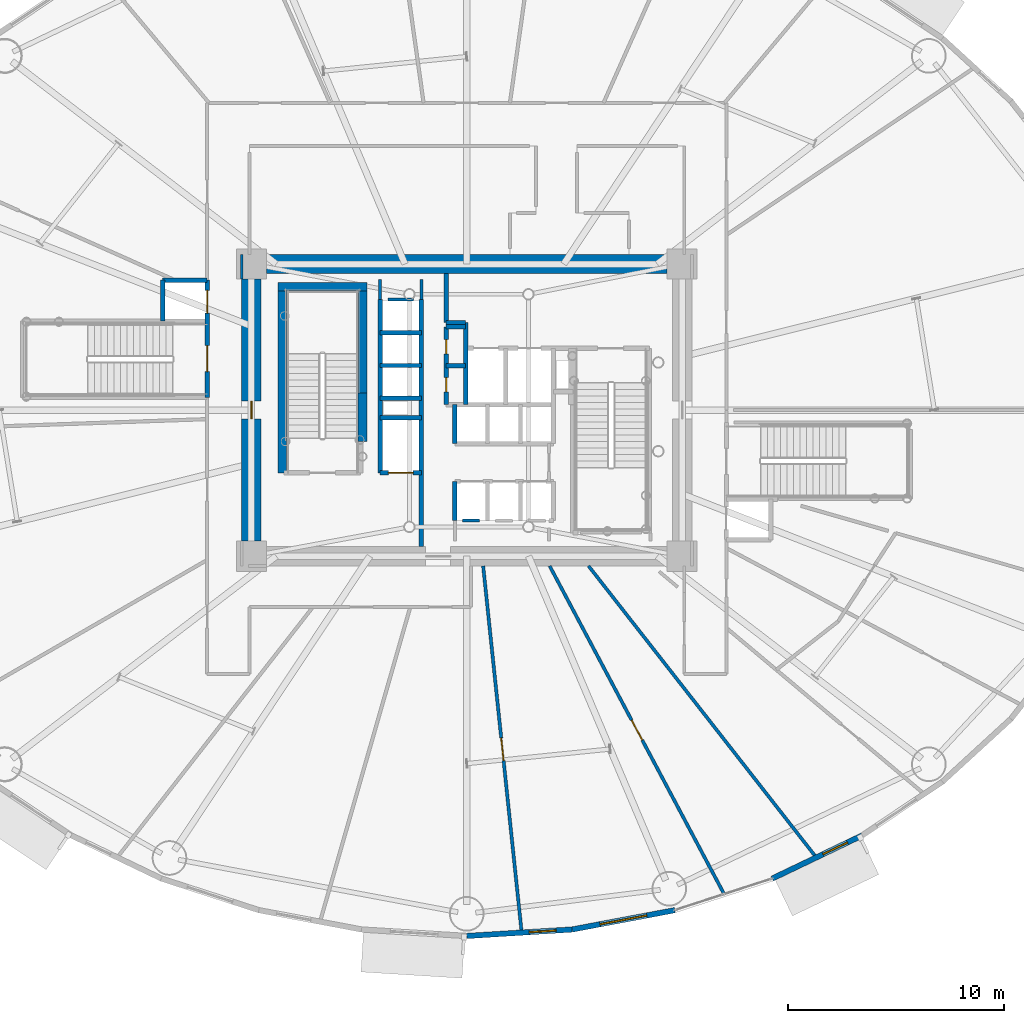
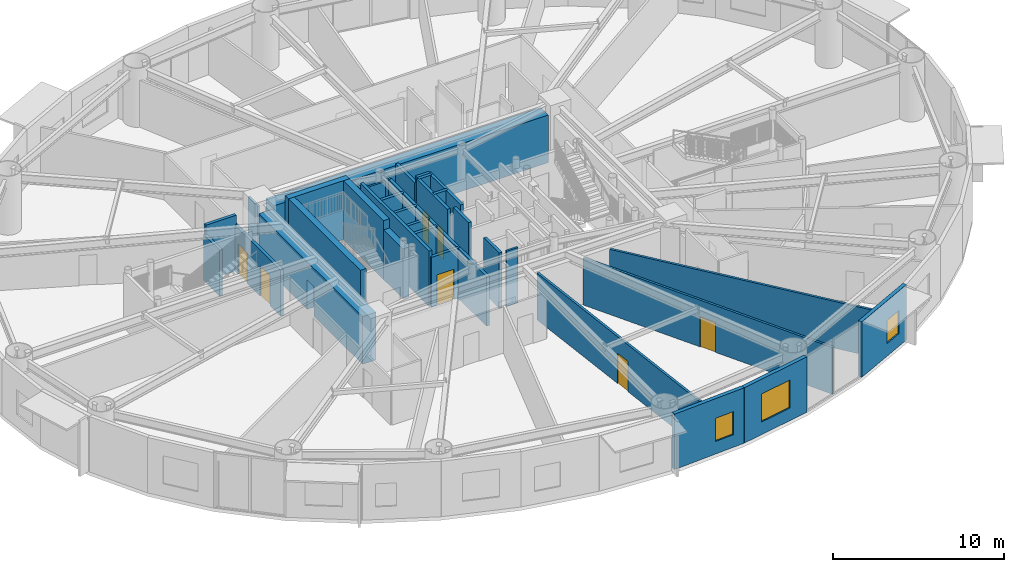
# One storey, part 17 of 32: 35 walls, 8 doors, 3 windows, 11 openings.
"""IFC4 building model written with IfcOpenShell, lengths in metres."""

from ifc_helpers import new_model, si_unit, direction, frame, frame_2d, origin, origin_2d, place, context, subcontext, project, spatial, rectangle, extrude, source, transform, mapped, material, layer, layer_set, type_object, element, fill, save


model = new_model("IFC4")

# Units and contexts
model_context = context("Model", 3, precision=1e-05, world=origin(), true_north=direction((0.0, 1.0)))
body_context = subcontext(model_context, "Body", "Model", "MODEL_VIEW")
ifc_project = project(units=[si_unit("LENGTHUNIT", "METRE"), si_unit("AREAUNIT", "SQUARE_METRE"), si_unit("VOLUMEUNIT", "CUBIC_METRE"), si_unit("PLANEANGLEUNIT", "RADIAN"), si_unit("MASSUNIT", "GRAM", prefix="KILO")], contexts=[model_context])

# Site, building, storey
site_placement = place(None, origin())
site = spatial("IfcSite", under=ifc_project, at=site_placement, CompositionType="ELEMENT")
building_placement = place(site_placement, origin())
building = spatial("IfcBuilding", under=site, at=building_placement, Name="Linh Dai School and Residence Tower", CompositionType="ELEMENT")
storey_placement = place(building_placement, frame((0.0, 0.0, 53.39990234375)))
storey = spatial("IfcBuildingStorey", under=building, at=storey_placement, Name="L12", CompositionType="ELEMENT", Elevation=53.39990234375)

# Wall, opening, window
ifc_material_1 = material(Name="Precast Concrete B45 (C35/45)", Category="concrete")
ifc_layer_1 = layer(ifc_material_1, 0.25)
ifc_layer_set_1 = layer_set([ifc_layer_1], Name="Precast Concrete B45 (C35/45)")
wall_type_1 = type_object("IfcWallType", Name="EW-TC-250", PredefinedType="SOLIDWALL", material=ifc_layer_set_1)
wall_1_placement = place(storey_placement, frame((40.865478515625, 2.994873046875, 0.0), z_axis=(0.0, 0.0, 1.0), x_axis=(-0.998106954071, -0.061502099433, 0.0)))
wall_1 = element("IfcWall", 1, at=wall_1_placement, inside=storey, type_object=wall_type_1, Name="L12 Terracotta Exterior Wall 31", PredefinedType="SOLIDWALL", context=body_context, shape_type="SweptSolid", body=[
    extrude(rectangle(XDim=4.874755859375, YDim=0.25, at=frame_2d((2.4375, 0.0))), origin(), (0.0, 0.0, 1.0), 3.9501953125),
])
opening_1_placement = place(wall_1_placement, frame((0.7373046875, 0.0, 0.89990234375)))
opening_1 = element("IfcOpeningElement", 2, at=opening_1_placement, cuts=wall_1, Name="Opening W3", PredefinedType="OPENING", context=body_context, shape_type="SweptSolid", body=[
    extrude(rectangle(XDim=1.25, YDim=1.64990234375, at=origin_2d()), frame((0.625, 0.135009765625, 0.824951171875), z_axis=(0.0, -1.0, 0.0), x_axis=(1.0, 0.0, 0.0)), (0.0, 0.0, 1.0), 0.27001953125),
])
ifc_material_2 = material(Name="Double Low-E Insulated Glazing", Category="glass")
window_type_1 = type_object("IfcWindowType", Name="WN-RES-1250x1650", PartitioningType="SINGLE_PANEL", PredefinedType="WINDOW", material=ifc_material_2)
shared_shape_1 = source(origin(), body_context, "Body", "SweptSolid", [
    extrude(rectangle(XDim=1.25, YDim=1.64990234375, at=origin_2d()), frame((0.625, 0.030029296875, 0.824951171875), z_axis=(0.0, -1.0, 0.0), x_axis=(1.0, 0.0, 0.0)), (0.0, 0.0, 1.0), 0.06005859375),
])
window_1_placement = place(opening_1_placement, origin())
window_1 = element("IfcWindow", 3, at=window_1_placement, inside=storey, type_object=window_type_1, Name="L12 Exterior Window 31.1", OverallHeight=1.64990234375, OverallWidth=1.25, PartitioningType="SINGLE_PANEL", PredefinedType="WINDOW", context=body_context, shape_type="MappedRepresentation", body=[
    mapped(shared_shape_1, transform((0.0, 0.0, 0.0), x_axis=(1.0, 0.0, 0.0), y_axis=(0.0, 1.0, 0.0), z_axis=(0.0, 0.0, 1.0), scale=1.0)),
])
fill(opening_1, window_1)

wall_2_placement = place(storey_placement, frame((45.610595703125, 3.88671875, 0.0), z_axis=(0.0, 0.0, 1.0), x_axis=(-0.982791952378, -0.184715939598, 0.0)))
wall_2 = element("IfcWall", 4, at=wall_2_placement, inside=storey, type_object=wall_type_1, Name="L12 Terracotta Exterior Wall 32", PredefinedType="SOLIDWALL", context=body_context, shape_type="SweptSolid", body=[
    extrude(rectangle(XDim=4.828125, YDim=0.25, at=frame_2d((2.4140625, 0.0))), origin(), (0.0, 0.0, 1.0), 3.9501953125),
])
opening_2_placement = place(wall_2_placement, frame((1.314208984375, 0.0, 0.89990234375)))
opening_2 = element("IfcOpeningElement", 5, at=opening_2_placement, cuts=wall_2, Name="Opening W4", PredefinedType="OPENING", context=body_context, shape_type="SweptSolid", body=[
    extrude(rectangle(XDim=2.199951171875, YDim=2.0, at=origin_2d()), frame((1.10009765625, 0.135009765625, 1.0), z_axis=(0.0, -1.0, 0.0), x_axis=(1.0, 0.0, 0.0)), (0.0, 0.0, 1.0), 0.27001953125),
])
ifc_material_3 = material(Name="Acoustic Laminated Low-E Glazing", Category="glass")
window_type_2 = type_object("IfcWindowType", Name="WN-SCH-2200x2000", PartitioningType="TRIPLE_PANEL_VERTICAL", PredefinedType="WINDOW", material=ifc_material_3)
shared_shape_2 = source(origin(), body_context, "Body", "SweptSolid", [
    extrude(rectangle(XDim=2.199951171875, YDim=2.0, at=origin_2d()), frame((1.10009765625, 0.030029296875, 1.0), z_axis=(0.0, -1.0, 0.0), x_axis=(1.0, 0.0, 0.0)), (0.0, 0.0, 1.0), 0.06005859375),
])
window_2_placement = place(opening_2_placement, origin())
window_2 = element("IfcWindow", 6, at=window_2_placement, inside=storey, type_object=window_type_2, Name="L12 Exterior Window 32.1", OverallHeight=2.0, OverallWidth=2.199951171875, PartitioningType="TRIPLE_PANEL_VERTICAL", PredefinedType="WINDOW", context=body_context, shape_type="MappedRepresentation", body=[
    mapped(shared_shape_2, transform((0.0, 0.0, 0.0), x_axis=(1.0, 0.0, 0.0), y_axis=(0.0, 1.0, 0.0), z_axis=(0.0, 0.0, 1.0), scale=1.0)),
])
fill(opening_2, window_2)

wall_3_placement = place(storey_placement, frame((54.277099609375, 7.34423828125, 0.0), z_axis=(0.0, 0.0, 1.0), x_axis=(-0.901601503137, -0.432567601123, 0.0)))
wall_3 = element("IfcWall", 7, at=wall_3_placement, inside=storey, type_object=wall_type_1, Name="L12 Terracotta Exterior Wall 34", PredefinedType="SOLIDWALL", context=body_context, shape_type="SweptSolid", body=[
    extrude(rectangle(XDim=4.61279296875, YDim=0.25, at=frame_2d((2.306396484375, 0.0))), origin(), (0.0, 0.0, 1.0), 3.9501953125),
])
opening_3_placement = place(wall_3_placement, frame((0.760986328125, 0.0, 0.89990234375)))
opening_3 = element("IfcOpeningElement", 8, at=opening_3_placement, cuts=wall_3, Name="Opening W3", PredefinedType="OPENING", context=body_context, shape_type="SweptSolid", body=[
    extrude(rectangle(XDim=1.25, YDim=1.64990234375, at=origin_2d()), frame((0.625, 0.135009765625, 0.824951171875), z_axis=(0.0, -1.0, 0.0), x_axis=(1.0, 0.0, 0.0)), (0.0, 0.0, 1.0), 0.27001953125),
])
window_3_placement = place(opening_3_placement, origin())
window_3 = element("IfcWindow", 9, at=window_3_placement, inside=storey, type_object=window_type_1, Name="L12 Exterior Window 34.1", OverallHeight=1.64990234375, OverallWidth=1.25, PartitioningType="SINGLE_PANEL", PredefinedType="WINDOW", context=body_context, shape_type="MappedRepresentation", body=[
    mapped(shared_shape_1, transform((0.0, 0.0, 0.0), x_axis=(1.0, 0.0, 0.0), y_axis=(0.0, 1.0, 0.0), z_axis=(0.0, 0.0, 1.0), scale=1.0)),
])
fill(opening_3, window_3)

# Walls
ifc_material_4 = material(Name="Autoclaved Aerated Concrete Blockwork", Category="masonry")
ifc_layer_2 = layer(ifc_material_4, 0.135009765625)
ifc_layer_set_2 = layer_set([ifc_layer_2], Name="Autoclaved Aerated Concrete Blockwork")
wall_type_2 = type_object("IfcWallType", Name="IW-CORR-135-EI90", PredefinedType="PARTITIONING", material=ifc_layer_set_2)
wall_4_placement = place(storey_placement, frame((36.60009765625, 21.89990234375, 0.0), z_axis=(0.0, 0.0, 1.0), x_axis=(-1.0, 0.0, 0.0)))
element("IfcWall", 10, at=wall_4_placement, inside=storey, type_object=wall_type_2, Name="L12 Interior Partition Wall 076", PredefinedType="PARTITIONING", context=body_context, shape_type="SweptSolid", body=[
    extrude(rectangle(XDim=0.7900390625, YDim=0.135009765625, at=frame_2d((0.39501953125, 0.0))), origin(), (0.0, 0.0, 1.0), 3.9501953125),
])
wall_5_placement = place(storey_placement, frame((32.360107421875, 32.10009765625, 0.0), z_axis=(0.0, 0.0, 1.0), x_axis=(1.0, 0.0, 0.0)))
element("IfcWall", 11, at=wall_5_placement, inside=storey, type_object=wall_type_2, Name="L12 Interior Partition Wall 079", PredefinedType="PARTITIONING", context=body_context, shape_type="SweptSolid", body=[
    extrude(rectangle(XDim=1.179931640625, YDim=0.135009765625, at=frame_2d((0.58984375, 0.0))), origin(), (0.0, 0.0, 1.0), 3.53515625),
])
wall_6_placement = place(storey_placement, frame((32.0, 33.0400390625, 0.0), z_axis=(0.0, 0.0, 1.0), x_axis=(0.0, -1.0, 0.0)))
element("IfcWall", 12, at=wall_6_placement, inside=storey, type_object=wall_type_2, Name="L12 Interior Partition Wall 081", PredefinedType="PARTITIONING", context=body_context, shape_type="SweptSolid", body=[
    extrude(rectangle(XDim=0.929931640625, YDim=0.135009765625, at=frame_2d((0.46484375, 0.0))), origin(), (0.0, 0.0, 1.0), 3.485107421875),
])
wall_7_placement = place(storey_placement, frame((33.89990234375, 32.110107421875, 0.0), z_axis=(0.0, 0.0, 1.0), x_axis=(0.0, 1.0, 0.0)))
element("IfcWall", 13, at=wall_7_placement, inside=storey, type_object=wall_type_2, Name="L12 Interior Partition Wall 084", PredefinedType="PARTITIONING", context=body_context, shape_type="SweptSolid", body=[
    extrude(rectangle(XDim=0.929931640625, YDim=0.135009765625, at=frame_2d((0.46484375, 0.0))), origin(), (0.0, 0.0, 1.0), 3.53515625),
])
wall_8_placement = place(storey_placement, frame((25.60009765625, 34.199951171875, 0.0), z_axis=(0.0, 0.0, 1.0), x_axis=(0.0, -1.0, 0.0)))
element("IfcWall", 14, at=wall_8_placement, inside=storey, type_object=wall_type_2, Name="L12 Interior Partition Wall 102", PredefinedType="PARTITIONING", context=body_context, shape_type="SweptSolid", body=[
    extrude(rectangle(XDim=1.139892578125, YDim=0.135009765625, at=frame_2d((0.56982421875, 0.0))), origin(), (0.0, 0.0, 1.0), 3.9501953125),
])

# Wall, opening, door
ifc_layer_3 = layer(ifc_material_4, 0.14990234375)
ifc_layer_set_3 = layer_set([ifc_layer_3], Name="Autoclaved Aerated Concrete Blockwork")
wall_type_3 = type_object("IfcWallType", Name="IW-SCH-150-EI60", PredefinedType="PARTITIONING", material=ifc_layer_set_3)
wall_9_placement = place(storey_placement, frame((36.7568359375, 19.800048828125, 0.0), z_axis=(0.0, 0.0, 1.0), x_axis=(0.10451927992, -0.994522860534, 0.0)))
wall_9 = element("IfcWall", 15, at=wall_9_placement, inside=storey, type_object=wall_type_3, Name="L12 Interior Partition Wall 043", PredefinedType="PARTITIONING", context=body_context, shape_type="SweptSolid", body=[
    extrude(rectangle(XDim=17.046875, YDim=0.14990234375, at=frame_2d((8.5234375, 0.0))), origin(), (0.0, 0.0, 1.0), 3.335205078125),
])
opening_4_placement = place(wall_9_placement, frame((7.99853515625, 0.0, 0.0)))
opening_4 = element("IfcOpeningElement", 16, at=opening_4_placement, cuts=wall_9, Name="Opening D04", PredefinedType="OPENING", context=body_context, shape_type="SweptSolid", body=[
    extrude(rectangle(XDim=1.050048828125, YDim=2.14990234375, at=origin_2d()), frame((0.52490234375, 0.0849609375, 1.074951171875), z_axis=(0.0, -1.0, 0.0), x_axis=(1.0, 0.0, 0.0)), (0.0, 0.0, 1.0), 0.169921875),
])
ifc_material_5 = material(Name="Acoustic Vision-Panel Timber Classroom Door", Category="wood")
door_type_1 = type_object("IfcDoorType", Name="DR-SCH-1050x2150-FD60S", OperationType="NOTDEFINED", PredefinedType="DOOR", material=ifc_material_5)
shared_shape_3 = source(origin(), body_context, "Body", "SweptSolid", [
    extrude(rectangle(XDim=1.050048828125, YDim=2.14990234375, at=origin_2d()), frame((0.52490234375, 0.02490234375, 1.074951171875), z_axis=(0.0, -1.0, 0.0), x_axis=(1.0, 0.0, 0.0)), (0.0, 0.0, 1.0), 0.050048828125),
])
door_1_placement = place(opening_4_placement, origin())
door_1 = element("IfcDoor", 17, at=door_1_placement, inside=storey, type_object=door_type_1, Name="L12 Upper Sixth Classroom 4 Door", OperationType="SINGLE_SWING_RIGHT", OverallHeight=2.14990234375, OverallWidth=1.050048828125, PredefinedType="DOOR", context=body_context, shape_type="MappedRepresentation", body=[
    mapped(shared_shape_3, transform((0.0, 0.0, 0.0), x_axis=(1.0, 0.0, 0.0), y_axis=(0.0, 1.0, 0.0), z_axis=(0.0, 0.0, 1.0), scale=1.0)),
])
fill(opening_4, door_1)

wall_10_placement = place(storey_placement, frame((39.828369140625, 19.800048828125, 0.0), z_axis=(0.0, 0.0, 1.0), x_axis=(0.469475400737, -0.882945552174, 0.0)))
wall_10 = element("IfcWall", 18, at=wall_10_placement, inside=storey, type_object=wall_type_3, Name="L12 Interior Partition Wall 052", PredefinedType="PARTITIONING", context=body_context, shape_type="SweptSolid", body=[
    extrude(rectangle(XDim=17.1884765625, YDim=0.14990234375, at=frame_2d((8.59423828125, 0.0))), origin(), (0.0, 0.0, 1.0), 3.335205078125),
])
opening_5_placement = place(wall_10_placement, frame((8.0693359375, 0.0, 0.0)))
opening_5 = element("IfcOpeningElement", 19, at=opening_5_placement, cuts=wall_10, Name="Opening D04", PredefinedType="OPENING", context=body_context, shape_type="SweptSolid", body=[
    extrude(rectangle(XDim=1.050048828125, YDim=2.14990234375, at=origin_2d()), frame((0.52490234375, 0.0849609375, 1.074951171875), z_axis=(0.0, -1.0, 0.0), x_axis=(1.0, 0.0, 0.0)), (0.0, 0.0, 1.0), 0.169921875),
])
door_2_placement = place(opening_5_placement, origin())
door_2 = element("IfcDoor", 20, at=door_2_placement, inside=storey, type_object=door_type_1, Name="L12 Upper Sixth Classroom 5 Door", OperationType="SINGLE_SWING_LEFT", OverallHeight=2.14990234375, OverallWidth=1.050048828125, PredefinedType="DOOR", context=body_context, shape_type="MappedRepresentation", body=[
    mapped(shared_shape_3, transform((0.0, 0.0, 0.0), x_axis=(1.0, 0.0, 0.0), y_axis=(0.0, 1.0, 0.0), z_axis=(0.0, 0.0, 1.0), scale=1.0)),
])
fill(opening_5, door_2)

# Walls
wall_11_placement = place(storey_placement, frame((41.625244140625, 19.800048828125, 0.0), z_axis=(0.0, 0.0, 1.0), x_axis=(0.615654567116, -0.788016150843, 0.0)))
element("IfcWall", 21, at=wall_11_placement, inside=storey, type_object=wall_type_3, Name="L12 Interior Partition Wall 058", PredefinedType="PARTITIONING", context=body_context, shape_type="SweptSolid", body=[
    extrude(rectangle(XDim=17.10498046875, YDim=0.14990234375, at=frame_2d((8.552490234375, 0.0))), origin(), (0.0, 0.0, 1.0), 3.335205078125),
])
ifc_material_6 = material(Name="Concrete B45 (C35/45)", Category="concrete")
ifc_layer_4 = layer(ifc_material_6, 0.199951171875)
ifc_layer_set_4 = layer_set([ifc_layer_4], Name="Concrete B45 (C35/45)")
wall_type_4 = type_object("IfcWallType", Name="IW-SHAFT-200-EI120", PredefinedType="PARTITIONING", material=ifc_layer_set_4)
wall_12_placement = place(storey_placement, frame((21.949951171875, 31.1201171875, 0.0), z_axis=(0.0, 0.0, 1.0), x_axis=(0.0, 1.0, 0.0)))
element("IfcWall", 22, at=wall_12_placement, inside=storey, type_object=wall_type_4, Name="L12 Interior Partition Wall 009", PredefinedType="PARTITIONING", context=body_context, shape_type="SweptSolid", body=[
    extrude(rectangle(XDim=1.8798828125, YDim=0.199951171875, at=frame_2d((0.93994140625, 0.0))), origin(), (0.0, 0.0, 1.0), 3.28515625),
])
wall_13_placement = place(storey_placement, frame((21.949951171875, 33.0, 0.0), z_axis=(0.0, 0.0, 1.0), x_axis=(1.0, 0.0, 0.0)))
element("IfcWall", 23, at=wall_13_placement, inside=storey, type_object=wall_type_4, Name="L12 Interior Partition Wall 010", PredefinedType="PARTITIONING", context=body_context, shape_type="SweptSolid", body=[
    extrude(rectangle(XDim=2.050048828125, YDim=0.199951171875, at=frame_2d((1.02490234375, 0.0))), origin(), (0.0, 0.0, 1.0), 3.9501953125),
])

# Wall, openings, doors
wall_14_placement = place(storey_placement, frame((24.0, 27.590087890625, 0.0), z_axis=(0.0, 0.0, 1.0), x_axis=(0.0, 1.0, 0.0)))
wall_14 = element("IfcWall", 24, at=wall_14_placement, inside=storey, type_object=wall_type_4, Name="L12 Interior Partition Wall 013", PredefinedType="PARTITIONING", context=body_context, shape_type="SweptSolid", body=[
    extrude(rectangle(XDim=5.409912109375, YDim=0.199951171875, at=frame_2d((2.705078125, 0.0))), origin(), (0.0, 0.0, 1.0), 3.28515625),
])
opening_6_placement = place(wall_14_placement, frame((1.18505859375, 0.0, 0.0)))
opening_6 = element("IfcOpeningElement", 25, at=opening_6_placement, cuts=wall_14, Name="Opening D01", PredefinedType="OPENING", context=body_context, shape_type="SweptSolid", body=[
    extrude(rectangle(XDim=1.199951171875, YDim=2.14990234375, at=origin_2d()), frame((0.60009765625, 0.10986328125, 1.074951171875), z_axis=(0.0, -1.0, 0.0), x_axis=(1.0, 0.0, 0.0)), (0.0, 0.0, 1.0), 0.219970703125),
])
opening_7_placement = place(wall_14_placement, frame((3.889892578125, 0.0, 0.0)))
opening_7 = element("IfcOpeningElement", 26, at=opening_7_placement, cuts=wall_14, Name="Opening LD-SL1", PredefinedType="OPENING", context=body_context, shape_type="SweptSolid", body=[
    extrude(rectangle(XDim=1.050048828125, YDim=2.14990234375, at=origin_2d()), frame((0.52490234375, 0.10986328125, 1.074951171875), z_axis=(0.0, -1.0, 0.0), x_axis=(1.0, 0.0, 0.0)), (0.0, 0.0, 1.0), 0.219970703125),
])
ifc_material_7 = material(Name="Fire-Rated Steel Door Leaf", Category="steel")
door_type_2 = type_object("IfcDoorType", Name="DR-STAIR-1200x2150-FD90S", OperationType="NOTDEFINED", PredefinedType="DOOR", material=ifc_material_7)
shared_shape_4 = source(origin(), body_context, "Body", "SweptSolid", [
    extrude(rectangle(XDim=1.199951171875, YDim=2.14990234375, at=origin_2d()), frame((0.60009765625, 0.02490234375, 1.074951171875), z_axis=(0.0, -1.0, 0.0), x_axis=(1.0, 0.0, 0.0)), (0.0, 0.0, 1.0), 0.050048828125),
])
door_3_placement = place(opening_6_placement, origin())
door_3 = element("IfcDoor", 27, at=door_3_placement, inside=storey, type_object=door_type_2, Name="L12 Exit Stair STS1 Door", OperationType="SINGLE_SWING_RIGHT", OverallHeight=2.14990234375, OverallWidth=1.199951171875, PredefinedType="DOOR", context=body_context, shape_type="MappedRepresentation", body=[
    mapped(shared_shape_4, transform((0.0, 0.0, 0.0), x_axis=(1.0, 0.0, 0.0), y_axis=(0.0, 1.0, 0.0), z_axis=(0.0, 0.0, 1.0), scale=1.0)),
])
fill(opening_6, door_3)
ifc_material_8 = material(Name="Brushed Stainless Steel Lift Landing Door", Category="steel")
door_type_3 = type_object("IfcDoorType", Name="DR-LD-PASS-1050x2150", OperationType="DOUBLE_DOOR_SLIDING", PredefinedType="USERDEFINED", material=ifc_material_8)
shared_shape_5 = source(origin(), body_context, "Body", "SweptSolid", [
    extrude(rectangle(XDim=1.050048828125, YDim=2.14990234375, at=origin_2d()), frame((0.52490234375, 0.02490234375, 1.074951171875), z_axis=(0.0, -1.0, 0.0), x_axis=(1.0, 0.0, 0.0)), (0.0, 0.0, 1.0), 0.050048828125),
])
door_4_placement = place(opening_7_placement, origin())
door_4 = element("IfcDoor", 28, at=door_4_placement, inside=storey, type_object=door_type_3, Name="L12 Lift SL1 Sliding Landing Door", ObjectType="LANDING DOOR", OperationType="DOUBLE_DOOR_SLIDING", OverallHeight=2.14990234375, OverallWidth=1.050048828125, PredefinedType="USERDEFINED", context=body_context, shape_type="MappedRepresentation", body=[
    mapped(shared_shape_5, transform((0.0, 0.0, 0.0), x_axis=(1.0, 0.0, 0.0), y_axis=(0.0, 1.0, 0.0), z_axis=(0.0, 0.0, 1.0), scale=1.0)),
])
fill(opening_7, door_4)

# Wall
wall_15_placement = place(storey_placement, frame((32.0, 24.10009765625, 0.0), z_axis=(0.0, 0.0, 1.0), x_axis=(0.0, 1.0, 0.0)))
element("IfcWall", 29, at=wall_15_placement, inside=storey, type_object=wall_type_4, Name="L12 Interior Partition Wall 022", PredefinedType="PARTITIONING", context=body_context, shape_type="SweptSolid", body=[
    extrude(rectangle(XDim=8.0, YDim=0.199951171875, at=frame_2d((4.0, 0.0))), origin(), (0.0, 0.0, 1.0), 3.9501953125),
])

# Wall, opening, door
wall_16_placement = place(storey_placement, frame((32.0, 24.10009765625, 0.0), z_axis=(0.0, 0.0, 1.0), x_axis=(1.0, 0.0, 0.0)))
wall_16 = element("IfcWall", 30, at=wall_16_placement, inside=storey, type_object=wall_type_4, Name="L12 Interior Partition Wall 023", PredefinedType="PARTITIONING", context=body_context, shape_type="SweptSolid", body=[
    extrude(rectangle(XDim=1.89990234375, YDim=0.199951171875, at=frame_2d((0.949951171875, 0.0))), origin(), (0.0, 0.0, 1.0), 3.53515625),
])
opening_8_placement = place(wall_16_placement, frame((0.375, 0.0, 0.0)))
opening_8 = element("IfcOpeningElement", 31, at=opening_8_placement, cuts=wall_16, Name="Opening LD-FF2", PredefinedType="OPENING", context=body_context, shape_type="SweptSolid", body=[
    extrude(rectangle(XDim=1.14990234375, YDim=2.14990234375, at=origin_2d()), frame((0.574951171875, 0.10986328125, 1.074951171875), z_axis=(0.0, -1.0, 0.0), x_axis=(1.0, 0.0, 0.0)), (0.0, 0.0, 1.0), 0.219970703125),
])
ifc_material_9 = material(Name="Fire-Rated Stainless Steel Firefighting Lift Door", Category="steel")
door_type_4 = type_object("IfcDoorType", Name="DR-LD-FF-1150x2150-FD120", OperationType="DOUBLE_DOOR_SLIDING", PredefinedType="USERDEFINED", material=ifc_material_9)
shared_shape_6 = source(origin(), body_context, "Body", "SweptSolid", [
    extrude(rectangle(XDim=1.14990234375, YDim=2.14990234375, at=origin_2d()), frame((0.574951171875, 0.02490234375, 1.074951171875), z_axis=(0.0, -1.0, 0.0), x_axis=(1.0, 0.0, 0.0)), (0.0, 0.0, 1.0), 0.050048828125),
])
door_5_placement = place(opening_8_placement, origin())
door_5 = element("IfcDoor", 32, at=door_5_placement, inside=storey, type_object=door_type_4, Name="L12 Lift FF2 Sliding Landing Door", ObjectType="LANDING DOOR", OperationType="DOUBLE_DOOR_SLIDING", OverallHeight=2.14990234375, OverallWidth=1.14990234375, PredefinedType="USERDEFINED", context=body_context, shape_type="MappedRepresentation", body=[
    mapped(shared_shape_6, transform((0.0, 0.0, 0.0), x_axis=(1.0, 0.0, 0.0), y_axis=(0.0, 1.0, 0.0), z_axis=(0.0, 0.0, 1.0), scale=1.0)),
])
fill(opening_8, door_5)

# Walls
for number, where, z_axis, x_axis, name in (
    (33, (32.0, 26.64990234375, 0.0), (0.0, 0.0, 1.0), (1.0, 0.0, 0.0), "L12 Interior Partition Wall 024"),
    (34, (32.0, 27.550048828125, 0.0), (0.0, 0.0, 1.0), (1.0, 0.0, 0.0), "L12 Interior Partition Wall 025"),
    (35, (32.0, 29.06005859375, 0.0), (0.0, 0.0, 1.0), (1.0, 0.0, 0.0), "L12 Interior Partition Wall 026"),
    (36, (32.0, 30.580078125, 0.0), (0.0, 0.0, 1.0), (1.0, 0.0, 0.0), "L12 Interior Partition Wall 027"),
):
    element("IfcWall", number, at=place(storey_placement, frame(where, z_axis=z_axis, x_axis=x_axis)), inside=storey, type_object=wall_type_4, Name=name, PredefinedType="PARTITIONING", context=body_context, shape_type="SweptSolid", body=[
        extrude(rectangle(XDim=1.89990234375, YDim=0.199951171875, at=frame_2d((0.949951171875, 0.0))), origin(), (0.0, 0.0, 1.0), 3.53515625),
    ])
wall_17_placement = place(storey_placement, frame((33.89990234375, 20.699951171875, 0.0), z_axis=(0.0, 0.0, 1.0), x_axis=(0.0, 1.0, 0.0)))
element("IfcWall", 37, at=wall_17_placement, inside=storey, type_object=wall_type_4, Name="L12 Interior Partition Wall 029", PredefinedType="PARTITIONING", context=body_context, shape_type="SweptSolid", body=[
    extrude(rectangle(XDim=11.400146484375, YDim=0.199951171875, at=frame_2d((5.7001953125, 0.0))), origin(), (0.0, 0.0, 1.0), 3.53515625),
])

# Wall, openings, doors
wall_18_placement = place(storey_placement, frame((35.050048828125, 27.25, 0.0), z_axis=(0.0, 0.0, 1.0), x_axis=(0.0, 1.0, 0.0)))
wall_18 = element("IfcWall", 38, at=wall_18_placement, inside=storey, type_object=wall_type_4, Name="L12 Interior Partition Wall 030", PredefinedType="PARTITIONING", context=body_context, shape_type="SweptSolid", body=[
    extrude(rectangle(XDim=3.60009765625, YDim=0.199951171875, at=frame_2d((1.800048828125, 0.0))), origin(), (0.0, 0.0, 1.0), 3.9501953125),
])
opening_9_placement = place(wall_18_placement, frame((0.590087890625, 0.0, 0.0)))
opening_9 = element("IfcOpeningElement", 39, at=opening_9_placement, cuts=wall_18, Name="Opening AD1", PredefinedType="OPENING", context=body_context, shape_type="SweptSolid", body=[
    extrude(rectangle(XDim=0.659912109375, YDim=2.050048828125, at=origin_2d()), frame((0.330078125, 0.10986328125, 1.02490234375), z_axis=(0.0, -1.0, 0.0), x_axis=(1.0, 0.0, 0.0)), (0.0, 0.0, 1.0), 0.219970703125),
])
opening_10_placement = place(wall_18_placement, frame((2.35009765625, 0.0, 0.0)))
opening_10 = element("IfcOpeningElement", 40, at=opening_10_placement, cuts=wall_18, Name="Opening AD1", PredefinedType="OPENING", context=body_context, shape_type="SweptSolid", body=[
    extrude(rectangle(XDim=0.659912109375, YDim=2.050048828125, at=origin_2d()), frame((0.330078125, 0.10986328125, 1.02490234375), z_axis=(0.0, -1.0, 0.0), x_axis=(1.0, 0.0, 0.0)), (0.0, 0.0, 1.0), 0.219970703125),
])
ifc_material_10 = material(Name="Fire-Rated Steel Riser Access Door", Category="steel")
door_type_5 = type_object("IfcDoorType", Name="DR-ACC-660x2050-FD90S", OperationType="NOTDEFINED", PredefinedType="USERDEFINED", material=ifc_material_10)
shared_shape_7 = source(origin(), body_context, "Body", "SweptSolid", [
    extrude(rectangle(XDim=0.659912109375, YDim=2.050048828125, at=origin_2d()), frame((0.330078125, 0.02490234375, 1.02490234375), z_axis=(0.0, -1.0, 0.0), x_axis=(1.0, 0.0, 0.0)), (0.0, 0.0, 1.0), 0.050048828125),
])
door_6_placement = place(opening_9_placement, origin())
door_6 = element("IfcDoor", 41, at=door_6_placement, inside=storey, type_object=door_type_5, Name="L12 Telecom and Data Riser Access Door", ObjectType="ACCESS DOOR", OperationType="SINGLE_SWING_RIGHT", OverallHeight=2.050048828125, OverallWidth=0.659912109375, PredefinedType="USERDEFINED", context=body_context, shape_type="MappedRepresentation", body=[
    mapped(shared_shape_7, transform((0.0, 0.0, 0.0), x_axis=(1.0, 0.0, 0.0), y_axis=(0.0, 1.0, 0.0), z_axis=(0.0, 0.0, 1.0), scale=1.0)),
])
fill(opening_9, door_6)
door_7_placement = place(opening_10_placement, origin())
door_7 = element("IfcDoor", 42, at=door_7_placement, inside=storey, type_object=door_type_5, Name="L12 Mechanical and Plumbing Riser Access Door", ObjectType="ACCESS DOOR", OperationType="SINGLE_SWING_LEFT", OverallHeight=2.050048828125, OverallWidth=0.659912109375, PredefinedType="USERDEFINED", context=body_context, shape_type="MappedRepresentation", body=[
    mapped(shared_shape_7, transform((0.0, 0.0, 0.0), x_axis=(1.0, 0.0, 0.0), y_axis=(0.0, 1.0, 0.0), z_axis=(0.0, 0.0, 1.0), scale=1.0)),
])
fill(opening_10, door_7)

# Walls
for number, where, z_axis, x_axis, name in (
    (43, (35.050048828125, 29.050048828125, 0.0), (0.0, 0.0, 1.0), (1.0, 0.0, 0.0), "L12 Interior Partition Wall 032"),
    (44, (35.050048828125, 30.85009765625, 0.0), (0.0, 0.0, 1.0), (1.0, 0.0, 0.0), "L12 Interior Partition Wall 033"),
):
    element("IfcWall", number, at=place(storey_placement, frame(where, z_axis=z_axis, x_axis=x_axis)), inside=storey, type_object=wall_type_4, Name=name, PredefinedType="PARTITIONING", context=body_context, shape_type="SweptSolid", body=[
        extrude(rectangle(XDim=0.89990234375, YDim=0.199951171875, at=frame_2d((0.449951171875, 0.0))), origin(), (0.0, 0.0, 1.0), 3.9501953125),
    ])
wall_19_placement = place(storey_placement, frame((35.050048828125, 31.050048828125, 0.0), z_axis=(0.0, 0.0, 1.0), x_axis=(0.0, 1.0, 0.0)))
element("IfcWall", 45, at=wall_19_placement, inside=storey, type_object=wall_type_4, Name="L12 Interior Partition Wall 034", PredefinedType="PARTITIONING", context=body_context, shape_type="SweptSolid", body=[
    extrude(rectangle(XDim=2.25, YDim=0.199951171875, at=frame_2d((1.125, 0.0))), origin(), (0.0, 0.0, 1.0), 3.53515625),
])
wall_20_placement = place(storey_placement, frame((35.050048828125, 31.050048828125, 0.0), z_axis=(0.0, 0.0, 1.0), x_axis=(1.0, 0.0, 0.0)))
element("IfcWall", 46, at=wall_20_placement, inside=storey, type_object=wall_type_4, Name="L12 Interior Partition Wall 035", PredefinedType="PARTITIONING", context=body_context, shape_type="SweptSolid", body=[
    extrude(rectangle(XDim=0.89990234375, YDim=0.199951171875, at=frame_2d((0.449951171875, 0.0))), origin(), (0.0, 0.0, 1.0), 3.9501953125),
])
for number, where, z_axis, x_axis, name in (
    (47, (35.449951171875, 21.89990234375, 0.0), (0.0, 0.0, 1.0), (0.0, 1.0, 0.0), "L12 Interior Partition Wall 036"),
    (48, (35.449951171875, 25.449951171875, 0.0), (0.0, 0.0, 1.0), (0.0, 1.0, 0.0), "L12 Interior Partition Wall 038"),
):
    element("IfcWall", number, at=place(storey_placement, frame(where, z_axis=z_axis, x_axis=x_axis)), inside=storey, type_object=wall_type_4, Name=name, PredefinedType="PARTITIONING", context=body_context, shape_type="SweptSolid", body=[
        extrude(rectangle(XDim=1.800048828125, YDim=0.199951171875, at=frame_2d((0.89990234375, 0.0))), origin(), (0.0, 0.0, 1.0), 3.9501953125),
    ])
wall_21_placement = place(storey_placement, frame((35.949951171875, 27.25, 0.0), z_axis=(0.0, 0.0, 1.0), x_axis=(0.0, 1.0, 0.0)))
element("IfcWall", 49, at=wall_21_placement, inside=storey, type_object=wall_type_4, Name="L12 Interior Partition Wall 040", PredefinedType="PARTITIONING", context=body_context, shape_type="SweptSolid", body=[
    extrude(rectangle(XDim=3.800048828125, YDim=0.199951171875, at=frame_2d((1.89990234375, 0.0))), origin(), (0.0, 0.0, 1.0), 3.9501953125),
])
ifc_layer_5 = layer(ifc_material_6, 0.39990234375)
ifc_layer_set_5 = layer_set([ifc_layer_5], Name="Concrete B45 (C35/45)")
wall_type_5 = type_object("IfcWallType", Name="WL-CORE400", PredefinedType="SHEAR", material=ifc_layer_set_5)
wall_22_placement = place(storey_placement, frame((27.47998046875, 24.10009765625, 0.0), z_axis=(0.0, 0.0, 1.0), x_axis=(0.0, 1.0, 0.0)))
element("IfcWall", 50, at=wall_22_placement, inside=storey, type_object=wall_type_5, Name="L12 Core Stair ST1 Bearing Wall W", PredefinedType="SHEAR", context=body_context, shape_type="SweptSolid", body=[
    extrude(rectangle(XDim=8.599853515625, YDim=0.39990234375, at=frame_2d((4.2998046875, 0.0))), origin(), (0.0, 0.0, 1.0), 4.2001953125),
])
wall_23_placement = place(storey_placement, frame((31.179931640625, 27.800048828125, 0.0), z_axis=(0.0, 0.0, 1.0), x_axis=(0.0, 1.0, 0.0)))
element("IfcWall", 51, at=wall_23_placement, inside=storey, type_object=wall_type_5, Name="L12 Core Stair ST1 Bearing Wall E", PredefinedType="SHEAR", context=body_context, shape_type="SweptSolid", body=[
    extrude(rectangle(XDim=4.89990234375, YDim=0.39990234375, at=frame_2d((2.449951171875, 0.0))), origin(), (0.0, 0.0, 1.0), 4.2001953125),
])
wall_24_placement = place(storey_placement, frame((27.280029296875, 32.699951171875, 0.0), z_axis=(0.0, 0.0, 1.0), x_axis=(1.0, 0.0, 0.0)))
element("IfcWall", 52, at=wall_24_placement, inside=storey, type_object=wall_type_5, Name="L12 Core Stair ST1 Bearing Wall N", PredefinedType="SHEAR", context=body_context, shape_type="SweptSolid", body=[
    extrude(rectangle(XDim=4.099853515625, YDim=0.39990234375, at=frame_2d((2.0498046875, 0.0))), origin(), (0.0, 0.0, 1.0), 4.2001953125),
])
wall_25_placement = place(storey_placement, frame((31.179931640625, 25.550048828125, 0.0), z_axis=(0.0, 0.0, 1.0), x_axis=(0.0, 1.0, 0.0)))
element("IfcWall", 53, at=wall_25_placement, inside=storey, type_object=wall_type_5, Name="L12 Internal Core Shear Wall IW", PredefinedType="SHEAR", context=body_context, shape_type="SweptSolid", body=[
    extrude(rectangle(XDim=2.25, YDim=0.39990234375, at=frame_2d((1.125, 0.0))), origin(), (0.0, 0.0, 1.0), 3.550048828125),
])
ifc_material_11 = material(Name="Concrete B60 (C50/60)", Category="concrete")
ifc_layer_6 = layer(ifc_material_11, 0.89990234375)
ifc_layer_set_6 = layer_set([ifc_layer_6], Name="Concrete B60 (C50/60)")
wall_type_6 = type_object("IfcWallType", Name="WL-CORE900", PredefinedType="SHEAR", material=ifc_layer_set_6)
wall_26_placement = place(storey_placement, frame((26.75, 33.75, 0.0), z_axis=(0.0, 0.0, 1.0), x_axis=(1.0, 0.0, 0.0)))
element("IfcWall", 54, at=wall_26_placement, inside=storey, type_object=wall_type_6, Name="L12 Central Core Shear Wall N", PredefinedType="SHEAR", context=body_context, shape_type="SweptSolid", body=[
    extrude(rectangle(XDim=18.5, YDim=0.89990234375, at=frame_2d((9.25, 0.0))), origin(), (0.0, 0.0, 1.0), 3.400146484375),
])

# Wall, opening, door
wall_27_placement = place(storey_placement, frame((26.050048828125, 20.949951171875, 0.0), z_axis=(0.0, 0.0, 1.0), x_axis=(0.0, 1.0, 0.0)))
wall_27 = element("IfcWall", 55, at=wall_27_placement, inside=storey, type_object=wall_type_6, Name="L12 Central Core Shear Wall W", PredefinedType="SHEAR", context=body_context, shape_type="SweptSolid", body=[
    extrude(rectangle(XDim=12.10009765625, YDim=0.89990234375, at=frame_2d((6.050048828125, 0.0))), origin(), (0.0, 0.0, 1.0), 3.400146484375),
])
opening_11_placement = place(wall_27_placement, frame((5.639892578125, 0.0, 0.0)))
opening_11 = element("IfcOpeningElement", 56, at=opening_11_placement, cuts=wall_27, Name="Opening D06", PredefinedType="OPENING", context=body_context, shape_type="SweptSolid", body=[
    extrude(rectangle(XDim=0.820068359375, YDim=2.10009765625, at=origin_2d()), frame((0.41015625, 0.4599609375, 1.050048828125), z_axis=(0.0, -1.0, 0.0), x_axis=(1.0, 0.0, 0.0)), (0.0, 0.0, 1.0), 0.919921875),
])
ifc_material_12 = material(Name="Moisture-Resistant Timber Bathroom Door", Category="wood")
door_type_6 = type_object("IfcDoorType", Name="DR-WET-820x2100", OperationType="NOTDEFINED", PredefinedType="DOOR", material=ifc_material_12)
shared_shape_8 = source(origin(), body_context, "Body", "SweptSolid", [
    extrude(rectangle(XDim=0.820068359375, YDim=2.10009765625, at=origin_2d()), frame((0.41015625, 0.02490234375, 1.050048828125), z_axis=(0.0, -1.0, 0.0), x_axis=(1.0, 0.0, 0.0)), (0.0, 0.0, 1.0), 0.050048828125),
])
door_8_placement = place(opening_11_placement, origin())
door_8 = element("IfcDoor", 57, at=door_8_placement, inside=storey, type_object=door_type_6, Name="L12 Firefighting Lobby Door", OperationType="SINGLE_SWING_LEFT", OverallHeight=2.10009765625, OverallWidth=0.820068359375, PredefinedType="DOOR", context=body_context, shape_type="MappedRepresentation", body=[
    mapped(shared_shape_8, transform((0.0, 0.0, 0.0), x_axis=(1.0, 0.0, 0.0), y_axis=(0.0, 1.0, 0.0), z_axis=(0.0, 0.0, 1.0), scale=1.0)),
])
fill(opening_11, door_8)

save(model, "model.ifc")
